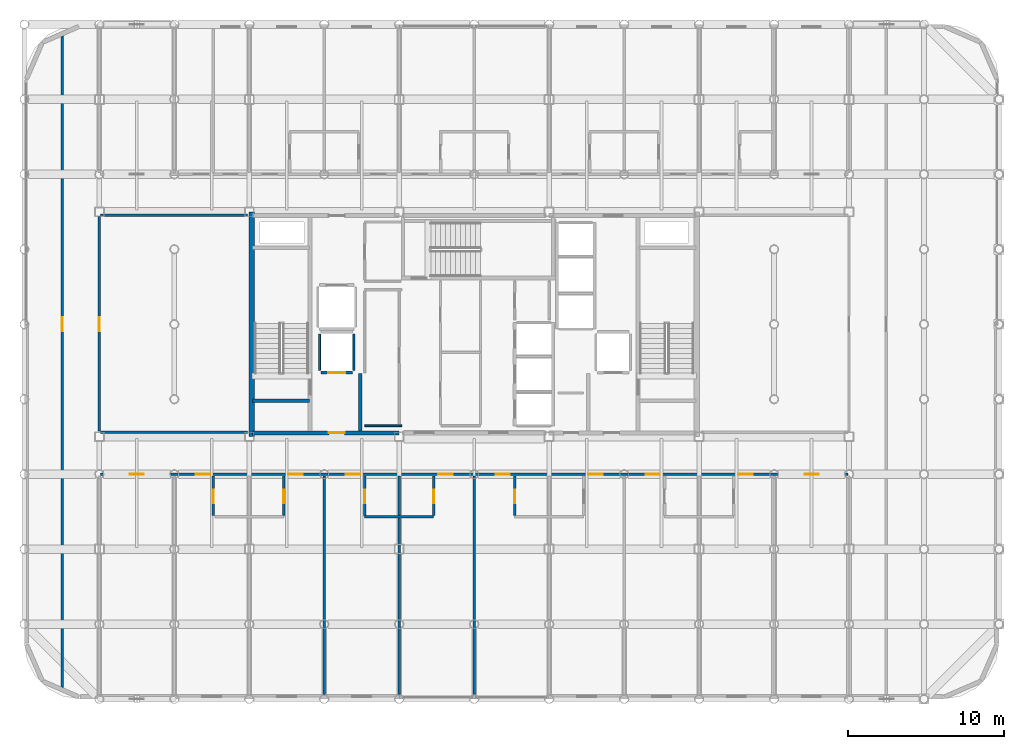
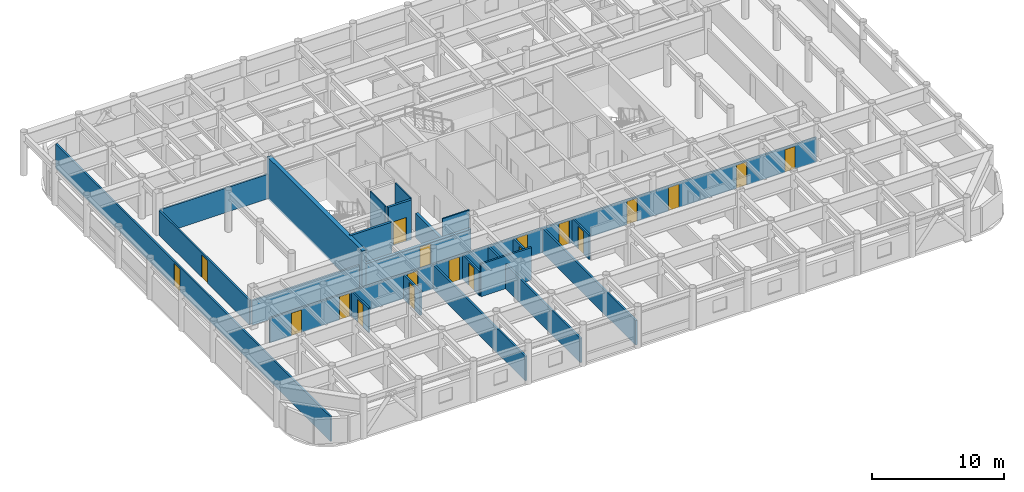
# One storey, part 17 of 22: 22 walls, 19 doors, 19 openings.
"""IFC4 building model written with IfcOpenShell, lengths in metres."""

from ifc_helpers import new_model, si_unit, direction, frame, frame_2d, origin, place, context, subcontext, project, spatial, rectangle, extrude, material, layer, layer_set, type_object, element, fill, save


model = new_model("IFC4")

# Units and contexts
model_context = context("Model", 3, precision=1e-05, world=origin(), true_north=direction((0.0, 1.0)))
body_context = subcontext(model_context, "Body", "Model", "MODEL_VIEW")
ifc_project = project(units=[si_unit("LENGTHUNIT", "METRE"), si_unit("AREAUNIT", "SQUARE_METRE"), si_unit("VOLUMEUNIT", "CUBIC_METRE"), si_unit("PLANEANGLEUNIT", "RADIAN"), si_unit("MASSUNIT", "GRAM", prefix="KILO")], contexts=[model_context])

# Site, building, storey
site_placement = place(None, origin())
site = spatial("IfcSite", under=ifc_project, at=site_placement, CompositionType="ELEMENT")
building_placement = place(site_placement, origin())
building = spatial("IfcBuilding", under=site, at=building_placement, Name="Kallvorn Hotel Tower", CompositionType="ELEMENT")
storey_placement = place(building_placement, frame((0.0, 0.0, 191.5)))
storey = spatial("IfcBuildingStorey", under=building, at=storey_placement, Name="L47", CompositionType="ELEMENT", Elevation=191.5)

# Walls
ifc_material_1 = material(Name="Concrete C50/60", Category="concrete")
ifc_layer_1 = layer(ifc_material_1, 0.35009765625)
ifc_layer_set_1 = layer_set([ifc_layer_1], Name="WL_CORE_350")
wall_type_1 = type_object("IfcWallType", Name="WL_CORE_350", PredefinedType="SHEAR", material=ifc_layer_set_1)
wall_1_placement = place(storey_placement, frame((-14.239990234375, -7.199951171875, -0.179931640625), z_axis=(0.0, 0.0, 1.0), x_axis=(0.0, 1.0, 0.0)))
element("IfcWall", 1, at=wall_1_placement, inside=storey, type_object=wall_type_1, Name="L47 Core West Shear Wall", PredefinedType="SHEAR", context=body_context, shape_type="SweptSolid", body=[
    extrude(rectangle(XDim=14.39990234375, YDim=0.35009765625, at=frame_2d((7.199951171875, 0.0))), origin(), (0.0, 0.0, 1.0), 3.849853515625),
])
ifc_material_2 = material(Name="Fire-rated double-layer acoustic gypsum drywall EI 60")
ifc_layer_2 = layer(ifc_material_2, 0.159912109375)
ifc_layer_set_2 = layer_set([ifc_layer_2], Name="WL_DEMISE_160")
wall_type_2 = type_object("IfcWallType", Name="WL_DEMISE_160", PredefinedType="PARTITIONING", material=ifc_layer_set_2)
wall_2_placement = place(storey_placement, frame((-7.010009765625, -12.320068359375, 0.0), z_axis=(0.0, 0.0, 1.0), x_axis=(1.0, 0.0, 0.0)))
element("IfcWall", 2, at=wall_2_placement, inside=storey, type_object=wall_type_2, Name="L47 Suite 4703 Superior Twin Room Partition", PredefinedType="PARTITIONING", context=body_context, shape_type="SweptSolid", body=[
    extrude(rectangle(XDim=4.419921875, YDim=0.159912109375, at=frame_2d((2.2099609375, 0.0))), origin(), (0.0, 0.0, 1.0), 3.02001953125),
])

# Wall, openings, doors
wall_3_placement = place(storey_placement, frame((-23.919921875, -9.60009765625, 0.0), z_axis=(0.0, 0.0, 1.0), x_axis=(1.0, 0.0, 0.0)))
wall_3 = element("IfcWall", 3, at=wall_3_placement, inside=storey, type_object=wall_type_2, Name="L47 Suite 4701 Superior Twin Room Partition", PredefinedType="PARTITIONING", context=body_context, shape_type="SweptSolid", body=[
    extrude(rectangle(XDim=47.83984375, YDim=0.159912109375, at=frame_2d((23.919921875, 0.0))), origin(), (0.0, 0.0, 1.0), 2.27001953125),
])
opening_1_placement = place(wall_3_placement, frame((1.8701171875, 0.0, 0.0)))
opening_1 = element("IfcOpeningElement", 4, at=opening_1_placement, cuts=wall_3, Name="Opening SVD1", PredefinedType="OPENING", context=body_context, shape_type="SweptSolid", body=[
    extrude(rectangle(XDim=0.89990234375, YDim=2.10009765625, at=frame_2d((0.449951171875, 1.050048828125))), frame((0.0, 0.094970703125, 0.0), z_axis=(0.0, -1.0, 0.0), x_axis=(1.0, 0.0, 0.0)), (0.0, 0.0, 1.0), 0.18994140625),
])
opening_2_placement = place(wall_3_placement, frame((45.070068359375, 0.0, 0.0)))
opening_2 = element("IfcOpeningElement", 5, at=opening_2_placement, cuts=wall_3, Name="Opening SVD1", PredefinedType="OPENING", context=body_context, shape_type="SweptSolid", body=[
    extrude(rectangle(XDim=0.89990234375, YDim=2.10009765625, at=frame_2d((0.449951171875, 1.050048828125))), frame((0.0, 0.094970703125, 0.0), z_axis=(0.0, -1.0, 0.0), x_axis=(1.0, 0.0, 0.0)), (0.0, 0.0, 1.0), 0.18994140625),
])
opening_3_placement = place(wall_3_placement, frame((6.090087890625, 0.0, 0.0)))
opening_3 = element("IfcOpeningElement", 6, at=opening_3_placement, cuts=wall_3, Name="Opening GD1", PredefinedType="OPENING", context=body_context, shape_type="SweptSolid", body=[
    extrude(rectangle(XDim=0.919921875, YDim=2.14990234375, at=frame_2d((0.4599609375, 1.074951171875))), frame((0.0, 0.094970703125, 0.0), z_axis=(0.0, -1.0, 0.0), x_axis=(1.0, 0.0, 0.0)), (0.0, 0.0, 1.0), 0.18994140625),
])
opening_4_placement = place(wall_3_placement, frame((12.030029296875, 0.0, 0.0)))
opening_4 = element("IfcOpeningElement", 7, at=opening_4_placement, cuts=wall_3, Name="Opening GD1", PredefinedType="OPENING", context=body_context, shape_type="SweptSolid", body=[
    extrude(rectangle(XDim=0.919921875, YDim=2.14990234375, at=frame_2d((0.4599609375, 1.074951171875))), frame((0.0, 0.094970703125, 0.0), z_axis=(0.0, -1.0, 0.0), x_axis=(1.0, 0.0, 0.0)), (0.0, 0.0, 1.0), 0.18994140625),
])
opening_5_placement = place(wall_3_placement, frame((15.68994140625, 0.0, 0.0)))
opening_5 = element("IfcOpeningElement", 8, at=opening_5_placement, cuts=wall_3, Name="Opening GD1", PredefinedType="OPENING", context=body_context, shape_type="SweptSolid", body=[
    extrude(rectangle(XDim=0.919921875, YDim=2.14990234375, at=frame_2d((0.4599609375, 1.074951171875))), frame((0.0, 0.094970703125, 0.0), z_axis=(0.0, -1.0, 0.0), x_axis=(1.0, 0.0, 0.0)), (0.0, 0.0, 1.0), 0.18994140625),
])
opening_6_placement = place(wall_3_placement, frame((21.6298828125, 0.0, 0.0)))
opening_6 = element("IfcOpeningElement", 9, at=opening_6_placement, cuts=wall_3, Name="Opening GD1", PredefinedType="OPENING", context=body_context, shape_type="SweptSolid", body=[
    extrude(rectangle(XDim=0.919921875, YDim=2.14990234375, at=frame_2d((0.4599609375, 1.074951171875))), frame((0.0, 0.094970703125, 0.0), z_axis=(0.0, -1.0, 0.0), x_axis=(1.0, 0.0, 0.0)), (0.0, 0.0, 1.0), 0.18994140625),
])
opening_7_placement = place(wall_3_placement, frame((25.2900390625, 0.0, 0.0)))
opening_7 = element("IfcOpeningElement", 10, at=opening_7_placement, cuts=wall_3, Name="Opening GD1", PredefinedType="OPENING", context=body_context, shape_type="SweptSolid", body=[
    extrude(rectangle(XDim=0.919921875, YDim=2.14990234375, at=frame_2d((0.4599609375, 1.074951171875))), frame((0.0, 0.094970703125, 0.0), z_axis=(0.0, -1.0, 0.0), x_axis=(1.0, 0.0, 0.0)), (0.0, 0.0, 1.0), 0.18994140625),
])
opening_8_placement = place(wall_3_placement, frame((31.22998046875, 0.0, 0.0)))
opening_8 = element("IfcOpeningElement", 11, at=opening_8_placement, cuts=wall_3, Name="Opening GD1", PredefinedType="OPENING", context=body_context, shape_type="SweptSolid", body=[
    extrude(rectangle(XDim=0.919921875, YDim=2.14990234375, at=frame_2d((0.4599609375, 1.074951171875))), frame((0.0, 0.094970703125, 0.0), z_axis=(0.0, -1.0, 0.0), x_axis=(1.0, 0.0, 0.0)), (0.0, 0.0, 1.0), 0.18994140625),
])
opening_9_placement = place(wall_3_placement, frame((34.889892578125, 0.0, 0.0)))
opening_9 = element("IfcOpeningElement", 12, at=opening_9_placement, cuts=wall_3, Name="Opening GD1", PredefinedType="OPENING", context=body_context, shape_type="SweptSolid", body=[
    extrude(rectangle(XDim=0.919921875, YDim=2.14990234375, at=frame_2d((0.4599609375, 1.074951171875))), frame((0.0, 0.094970703125, 0.0), z_axis=(0.0, -1.0, 0.0), x_axis=(1.0, 0.0, 0.0)), (0.0, 0.0, 1.0), 0.18994140625),
])
opening_10_placement = place(wall_3_placement, frame((40.830078125, 0.0, 0.0)))
opening_10 = element("IfcOpeningElement", 13, at=opening_10_placement, cuts=wall_3, Name="Opening GD1", PredefinedType="OPENING", context=body_context, shape_type="SweptSolid", body=[
    extrude(rectangle(XDim=0.919921875, YDim=2.14990234375, at=frame_2d((0.4599609375, 1.074951171875))), frame((0.0, 0.094970703125, 0.0), z_axis=(0.0, -1.0, 0.0), x_axis=(1.0, 0.0, 0.0)), (0.0, 0.0, 1.0), 0.18994140625),
])
ifc_material_3 = material(Name="Solid-core walnut veneer fire-rated timber door leaf", Category="wood")
door_type_1 = type_object("IfcDoorType", Name="DR_GUEST_920x2150", OperationType="NOTDEFINED", PredefinedType="DOOR", material=ifc_material_3)
door_1_placement = place(opening_3_placement, origin())
door_1 = element("IfcDoor", 14, at=door_1_placement, inside=storey, type_object=door_type_1, Name="L47 Suite 4701 Superior Twin Room Door", OperationType="SINGLE_SWING_RIGHT", OverallHeight=2.14990234375, OverallWidth=0.919921875, PredefinedType="DOOR", context=body_context, shape_type="SweptSolid", body=[
    extrude(rectangle(XDim=0.919921875, YDim=2.14990234375, at=frame_2d((0.4599609375, 1.074951171875))), frame((0.0, 0.02490234375, 0.0), z_axis=(0.0, -1.0, 0.0), x_axis=(1.0, 0.0, 0.0)), (0.0, 0.0, 1.0), 0.050048828125),
])
fill(opening_3, door_1)
door_2_placement = place(opening_4_placement, origin())
door_2 = element("IfcDoor", 15, at=door_2_placement, inside=storey, type_object=door_type_1, Name="L47 Suite 4702 Superior Twin Room Door", OperationType="SINGLE_SWING_LEFT", OverallHeight=2.14990234375, OverallWidth=0.919921875, PredefinedType="DOOR", context=body_context, shape_type="SweptSolid", body=[
    extrude(rectangle(XDim=0.919921875, YDim=2.14990234375, at=frame_2d((0.4599609375, 1.074951171875))), frame((0.0, 0.02490234375, 0.0), z_axis=(0.0, -1.0, 0.0), x_axis=(1.0, 0.0, 0.0)), (0.0, 0.0, 1.0), 0.050048828125),
])
fill(opening_4, door_2)
door_3_placement = place(opening_5_placement, origin())
door_3 = element("IfcDoor", 16, at=door_3_placement, inside=storey, type_object=door_type_1, Name="L47 Suite 4703 Superior Twin Room Door", OperationType="SINGLE_SWING_LEFT", OverallHeight=2.14990234375, OverallWidth=0.919921875, PredefinedType="DOOR", context=body_context, shape_type="SweptSolid", body=[
    extrude(rectangle(XDim=0.919921875, YDim=2.14990234375, at=frame_2d((0.4599609375, 1.074951171875))), frame((0.0, 0.02490234375, 0.0), z_axis=(0.0, -1.0, 0.0), x_axis=(1.0, 0.0, 0.0)), (0.0, 0.0, 1.0), 0.050048828125),
])
fill(opening_5, door_3)
door_4_placement = place(opening_6_placement, origin())
door_4 = element("IfcDoor", 17, at=door_4_placement, inside=storey, type_object=door_type_1, Name="L47 Suite 4704 Superior Twin Room Door", OperationType="SINGLE_SWING_LEFT", OverallHeight=2.14990234375, OverallWidth=0.919921875, PredefinedType="DOOR", context=body_context, shape_type="SweptSolid", body=[
    extrude(rectangle(XDim=0.919921875, YDim=2.14990234375, at=frame_2d((0.4599609375, 1.074951171875))), frame((0.0, 0.02490234375, 0.0), z_axis=(0.0, -1.0, 0.0), x_axis=(1.0, 0.0, 0.0)), (0.0, 0.0, 1.0), 0.050048828125),
])
fill(opening_6, door_4)
door_5_placement = place(opening_7_placement, origin())
door_5 = element("IfcDoor", 18, at=door_5_placement, inside=storey, type_object=door_type_1, Name="L47 Suite 4705 Superior Twin Room Door", OperationType="SINGLE_SWING_LEFT", OverallHeight=2.14990234375, OverallWidth=0.919921875, PredefinedType="DOOR", context=body_context, shape_type="SweptSolid", body=[
    extrude(rectangle(XDim=0.919921875, YDim=2.14990234375, at=frame_2d((0.4599609375, 1.074951171875))), frame((0.0, 0.02490234375, 0.0), z_axis=(0.0, -1.0, 0.0), x_axis=(1.0, 0.0, 0.0)), (0.0, 0.0, 1.0), 0.050048828125),
])
fill(opening_7, door_5)
door_6_placement = place(opening_8_placement, origin())
door_6 = element("IfcDoor", 19, at=door_6_placement, inside=storey, type_object=door_type_1, Name="L47 Suite 4706 Superior Twin Room Door", OperationType="SINGLE_SWING_LEFT", OverallHeight=2.14990234375, OverallWidth=0.919921875, PredefinedType="DOOR", context=body_context, shape_type="SweptSolid", body=[
    extrude(rectangle(XDim=0.919921875, YDim=2.14990234375, at=frame_2d((0.4599609375, 1.074951171875))), frame((0.0, 0.02490234375, 0.0), z_axis=(0.0, -1.0, 0.0), x_axis=(1.0, 0.0, 0.0)), (0.0, 0.0, 1.0), 0.050048828125),
])
fill(opening_8, door_6)
door_7_placement = place(opening_9_placement, origin())
door_7 = element("IfcDoor", 20, at=door_7_placement, inside=storey, type_object=door_type_1, Name="L47 Suite 4707 Superior Twin Room Door", OperationType="SINGLE_SWING_LEFT", OverallHeight=2.14990234375, OverallWidth=0.919921875, PredefinedType="DOOR", context=body_context, shape_type="SweptSolid", body=[
    extrude(rectangle(XDim=0.919921875, YDim=2.14990234375, at=frame_2d((0.4599609375, 1.074951171875))), frame((0.0, 0.02490234375, 0.0), z_axis=(0.0, -1.0, 0.0), x_axis=(1.0, 0.0, 0.0)), (0.0, 0.0, 1.0), 0.050048828125),
])
fill(opening_9, door_7)
door_8_placement = place(opening_10_placement, origin())
door_8 = element("IfcDoor", 21, at=door_8_placement, inside=storey, type_object=door_type_1, Name="L47 Suite 4708 Superior Twin Room Door", OperationType="SINGLE_SWING_LEFT", OverallHeight=2.14990234375, OverallWidth=0.919921875, PredefinedType="DOOR", context=body_context, shape_type="SweptSolid", body=[
    extrude(rectangle(XDim=0.919921875, YDim=2.14990234375, at=frame_2d((0.4599609375, 1.074951171875))), frame((0.0, 0.02490234375, 0.0), z_axis=(0.0, -1.0, 0.0), x_axis=(1.0, 0.0, 0.0)), (0.0, 0.0, 1.0), 0.050048828125),
])
fill(opening_10, door_8)
ifc_material_4 = material(Name="Galvanised painted steel fire-rated door assembly", Category="steel")
door_type_2 = type_object("IfcDoorType", Name="DR_SERV_900x2100", OperationType="NOTDEFINED", PredefinedType="DOOR", material=ifc_material_4)
door_9_placement = place(opening_1_placement, origin())
door_9 = element("IfcDoor", 22, at=door_9_placement, inside=storey, type_object=door_type_2, Name="L47 L47 High-Zone South-West Tea Bar Door", OperationType="SINGLE_SWING_RIGHT", OverallHeight=2.10009765625, OverallWidth=0.89990234375, PredefinedType="DOOR", context=body_context, shape_type="SweptSolid", body=[
    extrude(rectangle(XDim=0.89990234375, YDim=2.10009765625, at=frame_2d((0.449951171875, 1.050048828125))), frame((0.0, 0.02490234375, 0.0), z_axis=(0.0, -1.0, 0.0), x_axis=(1.0, 0.0, 0.0)), (0.0, 0.0, 1.0), 0.050048828125),
])
fill(opening_1, door_9)
door_10_placement = place(opening_2_placement, origin())
door_10 = element("IfcDoor", 23, at=door_10_placement, inside=storey, type_object=door_type_2, Name="L47 L47 High-Zone South-East Wine Bar Door", OperationType="SINGLE_SWING_RIGHT", OverallHeight=2.10009765625, OverallWidth=0.89990234375, PredefinedType="DOOR", context=body_context, shape_type="SweptSolid", body=[
    extrude(rectangle(XDim=0.89990234375, YDim=2.10009765625, at=frame_2d((0.449951171875, 1.050048828125))), frame((0.0, 0.02490234375, 0.0), z_axis=(0.0, -1.0, 0.0), x_axis=(1.0, 0.0, 0.0)), (0.0, 0.0, 1.0), 0.050048828125),
])
fill(opening_2, door_10)

# Wall, opening, door
wall_4_placement = place(storey_placement, frame((-16.705078125, -12.235107421875, 0.0), z_axis=(0.0, 0.0, 1.0), x_axis=(0.0, 1.0, 0.0)))
wall_4 = element("IfcWall", 24, at=wall_4_placement, inside=storey, type_object=wall_type_2, Name="L47 Suite 4701 Superior Twin Room Partition", PredefinedType="PARTITIONING", context=body_context, shape_type="SweptSolid", body=[
    extrude(rectangle(XDim=2.51513671875, YDim=0.159912109375, at=frame_2d((1.257568359375, 0.0))), origin(), (0.0, 0.0, 1.0), 2.27001953125),
])
opening_11_placement = place(wall_4_placement, frame((0.784912109375, 0.0, 0.0)))
opening_11 = element("IfcOpeningElement", 25, at=opening_11_placement, cuts=wall_4, Name="Opening BD-I", PredefinedType="OPENING", context=body_context, shape_type="SweptSolid", body=[
    extrude(rectangle(XDim=0.860107421875, YDim=2.10009765625, at=frame_2d((0.43017578125, 1.050048828125))), frame((0.0, 0.094970703125, 0.0), z_axis=(0.0, -1.0, 0.0), x_axis=(1.0, 0.0, 0.0)), (0.0, 0.0, 1.0), 0.18994140625),
])
ifc_material_5 = material(Name="Solid-core walnut veneer fire-rated timber door leaf", Category="wood")
door_type_3 = type_object("IfcDoorType", Name="DR_BATH_860x2100", OperationType="NOTDEFINED", PredefinedType="DOOR", material=ifc_material_5)
door_11_placement = place(opening_11_placement, origin())
door_11 = element("IfcDoor", 26, at=door_11_placement, inside=storey, type_object=door_type_3, Name="L47 Suite 4701 En-Suite Bathroom Door", OperationType="SINGLE_SWING_LEFT", OverallHeight=2.10009765625, OverallWidth=0.860107421875, PredefinedType="DOOR", context=body_context, shape_type="SweptSolid", body=[
    extrude(rectangle(XDim=0.860107421875, YDim=2.10009765625, at=frame_2d((0.43017578125, 1.050048828125))), frame((0.0, 0.02490234375, 0.0), z_axis=(0.0, -1.0, 0.0), x_axis=(1.0, 0.0, 0.0)), (0.0, 0.0, 1.0), 0.050048828125),
])
fill(opening_11, door_11)

wall_5_placement = place(storey_placement, frame((-12.18994140625, -12.235107421875, 0.0), z_axis=(0.0, 0.0, 1.0), x_axis=(0.0, 1.0, 0.0)))
wall_5 = element("IfcWall", 27, at=wall_5_placement, inside=storey, type_object=wall_type_2, Name="L47 Suite 4702 Superior Twin Room Partition", PredefinedType="PARTITIONING", context=body_context, shape_type="SweptSolid", body=[
    extrude(rectangle(XDim=2.51513671875, YDim=0.159912109375, at=frame_2d((1.257568359375, 0.0))), origin(), (0.0, 0.0, 1.0), 2.27001953125),
])
opening_12_placement = place(wall_5_placement, frame((0.784912109375, 0.0, 0.0)))
opening_12 = element("IfcOpeningElement", 28, at=opening_12_placement, cuts=wall_5, Name="Opening BD-I", PredefinedType="OPENING", context=body_context, shape_type="SweptSolid", body=[
    extrude(rectangle(XDim=0.860107421875, YDim=2.10009765625, at=frame_2d((0.43017578125, 1.050048828125))), frame((0.0, 0.094970703125, 0.0), z_axis=(0.0, -1.0, 0.0), x_axis=(1.0, 0.0, 0.0)), (0.0, 0.0, 1.0), 0.18994140625),
])
door_12_placement = place(opening_12_placement, origin())
door_12 = element("IfcDoor", 29, at=door_12_placement, inside=storey, type_object=door_type_3, Name="L47 Suite 4702 En-Suite Bathroom Door", OperationType="SINGLE_SWING_LEFT", OverallHeight=2.10009765625, OverallWidth=0.860107421875, PredefinedType="DOOR", context=body_context, shape_type="SweptSolid", body=[
    extrude(rectangle(XDim=0.860107421875, YDim=2.10009765625, at=frame_2d((0.43017578125, 1.050048828125))), frame((0.0, 0.02490234375, 0.0), z_axis=(0.0, -1.0, 0.0), x_axis=(1.0, 0.0, 0.0)), (0.0, 0.0, 1.0), 0.050048828125),
])
fill(opening_12, door_12)

# Wall
wall_6_placement = place(storey_placement, frame((-9.60009765625, -23.7099609375, 0.0), z_axis=(0.0, 0.0, 1.0), x_axis=(0.0, 1.0, 0.0)))
element("IfcWall", 30, at=wall_6_placement, inside=storey, type_object=wall_type_2, Name="L47 Suite 4702 Superior Twin Room Partition", PredefinedType="PARTITIONING", context=body_context, shape_type="SweptSolid", body=[
    extrude(rectangle(XDim=13.989990234375, YDim=0.159912109375, at=frame_2d((6.9951171875, 0.0))), origin(), (0.0, 0.0, 1.0), 2.27001953125),
])

# Wall, opening, door
wall_7_placement = place(storey_placement, frame((-7.0048828125, -12.235107421875, 0.0), z_axis=(0.0, 0.0, 1.0), x_axis=(0.0, 1.0, 0.0)))
wall_7 = element("IfcWall", 31, at=wall_7_placement, inside=storey, type_object=wall_type_2, Name="L47 Suite 4703 Superior Twin Room Partition", PredefinedType="PARTITIONING", context=body_context, shape_type="SweptSolid", body=[
    extrude(rectangle(XDim=2.51513671875, YDim=0.159912109375, at=frame_2d((1.257568359375, 0.0))), origin(), (0.0, 0.0, 1.0), 2.27001953125),
])
opening_13_placement = place(wall_7_placement, frame((0.784912109375, 0.0, 0.0)))
opening_13 = element("IfcOpeningElement", 32, at=opening_13_placement, cuts=wall_7, Name="Opening BD-I", PredefinedType="OPENING", context=body_context, shape_type="SweptSolid", body=[
    extrude(rectangle(XDim=0.860107421875, YDim=2.10009765625, at=frame_2d((0.43017578125, 1.050048828125))), frame((0.0, 0.094970703125, 0.0), z_axis=(0.0, -1.0, 0.0), x_axis=(1.0, 0.0, 0.0)), (0.0, 0.0, 1.0), 0.18994140625),
])
door_13_placement = place(opening_13_placement, origin())
door_13 = element("IfcDoor", 33, at=door_13_placement, inside=storey, type_object=door_type_3, Name="L47 Suite 4703 En-Suite Bathroom Door", OperationType="SINGLE_SWING_RIGHT", OverallHeight=2.10009765625, OverallWidth=0.860107421875, PredefinedType="DOOR", context=body_context, shape_type="SweptSolid", body=[
    extrude(rectangle(XDim=0.860107421875, YDim=2.10009765625, at=frame_2d((0.43017578125, 1.050048828125))), frame((0.0, 0.02490234375, 0.0), z_axis=(0.0, -1.0, 0.0), x_axis=(1.0, 0.0, 0.0)), (0.0, 0.0, 1.0), 0.050048828125),
])
fill(opening_13, door_13)

# Wall
wall_8_placement = place(storey_placement, frame((-4.800048828125, -23.7099609375, 0.0), z_axis=(0.0, 0.0, 1.0), x_axis=(0.0, 1.0, 0.0)))
element("IfcWall", 34, at=wall_8_placement, inside=storey, type_object=wall_type_2, Name="L47 Suite 4703 Superior Twin Room Partition", PredefinedType="PARTITIONING", context=body_context, shape_type="SweptSolid", body=[
    extrude(rectangle(XDim=13.989990234375, YDim=0.159912109375, at=frame_2d((6.9951171875, 0.0))), origin(), (0.0, 0.0, 1.0), 2.27001953125),
])

# Wall, opening, door
wall_9_placement = place(storey_placement, frame((-2.590087890625, -12.235107421875, 0.0), z_axis=(0.0, 0.0, 1.0), x_axis=(0.0, 1.0, 0.0)))
wall_9 = element("IfcWall", 35, at=wall_9_placement, inside=storey, type_object=wall_type_2, Name="L47 Suite 4704 Superior Twin Room Partition", PredefinedType="PARTITIONING", context=body_context, shape_type="SweptSolid", body=[
    extrude(rectangle(XDim=2.51513671875, YDim=0.159912109375, at=frame_2d((1.257568359375, 0.0))), origin(), (0.0, 0.0, 1.0), 2.27001953125),
])
opening_14_placement = place(wall_9_placement, frame((0.784912109375, 0.0, 0.0)))
opening_14 = element("IfcOpeningElement", 36, at=opening_14_placement, cuts=wall_9, Name="Opening BD-I", PredefinedType="OPENING", context=body_context, shape_type="SweptSolid", body=[
    extrude(rectangle(XDim=0.860107421875, YDim=2.10009765625, at=frame_2d((0.43017578125, 1.050048828125))), frame((0.0, 0.094970703125, 0.0), z_axis=(0.0, -1.0, 0.0), x_axis=(1.0, 0.0, 0.0)), (0.0, 0.0, 1.0), 0.18994140625),
])
door_14_placement = place(opening_14_placement, origin())
door_14 = element("IfcDoor", 37, at=door_14_placement, inside=storey, type_object=door_type_3, Name="L47 Suite 4704 En-Suite Bathroom Door", OperationType="SINGLE_SWING_LEFT", OverallHeight=2.10009765625, OverallWidth=0.860107421875, PredefinedType="DOOR", context=body_context, shape_type="SweptSolid", body=[
    extrude(rectangle(XDim=0.860107421875, YDim=2.10009765625, at=frame_2d((0.43017578125, 1.050048828125))), frame((0.0, 0.02490234375, 0.0), z_axis=(0.0, -1.0, 0.0), x_axis=(1.0, 0.0, 0.0)), (0.0, 0.0, 1.0), 0.050048828125),
])
fill(opening_14, door_14)

# Wall
wall_10_placement = place(storey_placement, frame((0.0, -23.794921875, 0.0), z_axis=(0.0, 0.0, 1.0), x_axis=(0.0, 1.0, 0.0)))
element("IfcWall", 38, at=wall_10_placement, inside=storey, type_object=wall_type_2, Name="L47 Suite 4704 Superior Twin Room Partition", PredefinedType="PARTITIONING", context=body_context, shape_type="SweptSolid", body=[
    extrude(rectangle(XDim=14.074951171875, YDim=0.159912109375, at=frame_2d((7.03759765625, 0.0))), origin(), (0.0, 0.0, 1.0), 2.27001953125),
])

# Wall, opening, door
wall_11_placement = place(storey_placement, frame((2.59326171875, -12.235107421875, 0.0), z_axis=(0.0, 0.0, 1.0), x_axis=(0.0, 1.0, 0.0)))
wall_11 = element("IfcWall", 39, at=wall_11_placement, inside=storey, type_object=wall_type_2, Name="L47 Suite 4705 Superior Twin Room Partition", PredefinedType="PARTITIONING", context=body_context, shape_type="SweptSolid", body=[
    extrude(rectangle(XDim=2.51513671875, YDim=0.159912109375, at=frame_2d((1.257568359375, 0.0))), origin(), (0.0, 0.0, 1.0), 2.27001953125),
])
opening_15_placement = place(wall_11_placement, frame((0.784912109375, 0.0, 0.0)))
opening_15 = element("IfcOpeningElement", 40, at=opening_15_placement, cuts=wall_11, Name="Opening BD-I", PredefinedType="OPENING", context=body_context, shape_type="SweptSolid", body=[
    extrude(rectangle(XDim=0.860107421875, YDim=2.10009765625, at=frame_2d((0.43017578125, 1.050048828125))), frame((0.0, 0.094970703125, 0.0), z_axis=(0.0, -1.0, 0.0), x_axis=(1.0, 0.0, 0.0)), (0.0, 0.0, 1.0), 0.18994140625),
])
door_15_placement = place(opening_15_placement, origin())
door_15 = element("IfcDoor", 41, at=door_15_placement, inside=storey, type_object=door_type_3, Name="L47 Suite 4705 En-Suite Bathroom Door", OperationType="SINGLE_SWING_LEFT", OverallHeight=2.10009765625, OverallWidth=0.860107421875, PredefinedType="DOOR", context=body_context, shape_type="SweptSolid", body=[
    extrude(rectangle(XDim=0.860107421875, YDim=2.10009765625, at=frame_2d((0.43017578125, 1.050048828125))), frame((0.0, 0.02490234375, 0.0), z_axis=(0.0, -1.0, 0.0), x_axis=(1.0, 0.0, 0.0)), (0.0, 0.0, 1.0), 0.050048828125),
])
fill(opening_15, door_15)

# Walls
ifc_material_6 = material(Name="Concrete C40/50", Category="concrete")
ifc_layer_3 = layer(ifc_material_6, 0.219970703125)
ifc_layer_set_3 = layer_set([ifc_layer_3], Name="WL_FFL_220")
wall_type_3 = type_object("IfcWallType", Name="WL_FFL_220", PredefinedType="SOLIDWALL", material=ifc_layer_set_3)
wall_12_placement = place(storey_placement, frame((-7.300048828125, -6.820068359375, 0.0), z_axis=(0.0, 0.0, 1.0), x_axis=(0.0, 1.0, 0.0)))
element("IfcWall", 42, at=wall_12_placement, inside=storey, type_object=wall_type_3, Name="L47 Firefighting Lobby West Divider Wall", PredefinedType="SOLIDWALL", context=body_context, shape_type="SweptSolid", body=[
    extrude(rectangle(XDim=3.670166015625, YDim=0.219970703125, at=frame_2d((1.8349609375, 0.0))), origin(), (0.0, 0.0, 1.0), 2.27001953125),
])
ifc_material_7 = material(Name="Concrete C40/50", Category="concrete")
ifc_layer_4 = layer(ifc_material_7, 0.199951171875)
ifc_layer_set_4 = layer_set([ifc_layer_4], Name="WL_HOIST_200")
wall_type_4 = type_object("IfcWallType", Name="WL_HOIST_200", PredefinedType="SOLIDWALL", material=ifc_layer_set_4)
wall_13_placement = place(storey_placement, frame((-14.199951171875, -4.89990234375, -0.179931640625), z_axis=(0.0, 0.0, 1.0), x_axis=(1.0, 0.0, 0.0)))
element("IfcWall", 43, at=wall_13_placement, inside=storey, type_object=wall_type_4, Name="L47 Stair ST1 South Wall", PredefinedType="SOLIDWALL", context=body_context, shape_type="SweptSolid", body=[
    extrude(rectangle(XDim=3.64990234375, YDim=0.199951171875, at=frame_2d((1.824951171875, 0.0))), origin(), (0.0, 0.0, 1.0), 3.849853515625),
])

# Wall, opening, door
wall_14_placement = place(storey_placement, frame((-9.820068359375, -3.10009765625, 0.0), z_axis=(0.0, 0.0, 1.0), x_axis=(1.0, 0.0, 0.0)))
wall_14 = element("IfcWall", 44, at=wall_14_placement, inside=storey, type_object=wall_type_4, Name="L47 FL-1 Landing Wall", PredefinedType="SOLIDWALL", context=body_context, shape_type="SweptSolid", body=[
    extrude(rectangle(XDim=2.0400390625, YDim=0.199951171875, at=frame_2d((1.02001953125, 0.0))), origin(), (0.0, 0.0, 1.0), 3.669921875),
])
opening_16_placement = place(wall_14_placement, frame((0.469970703125, 0.0, 0.0)))
opening_16 = element("IfcOpeningElement", 45, at=opening_16_placement, cuts=wall_14, Name="Opening LD-FL-1", PredefinedType="OPENING", context=body_context, shape_type="SweptSolid", body=[
    extrude(rectangle(XDim=1.10009765625, YDim=2.199951171875, at=frame_2d((0.550048828125, 1.10009765625))), frame((0.0, 0.114990234375, 0.0), z_axis=(0.0, -1.0, 0.0), x_axis=(1.0, 0.0, 0.0)), (0.0, 0.0, 1.0), 0.22998046875),
])
ifc_material_8 = material(Name="Brushed stainless-steel automatic sliding lift landing door", Category="steel")
door_type_4 = type_object("IfcDoorType", Name="LD_PASS_1100x2200", OperationType="SLIDING_TO_LEFT", PredefinedType="DOOR", material=ifc_material_8)
door_16_placement = place(opening_16_placement, origin())
door_16 = element("IfcDoor", 46, at=door_16_placement, inside=storey, type_object=door_type_4, Name="L47 Lift Landing Sliding Door LD-FL-1", OperationType="SLIDING_TO_LEFT", OverallHeight=2.199951171875, OverallWidth=1.10009765625, PredefinedType="DOOR", context=body_context, shape_type="SweptSolid", body=[
    extrude(rectangle(XDim=1.10009765625, YDim=2.199951171875, at=frame_2d((0.550048828125, 1.10009765625))), frame((0.0, 0.02490234375, 0.0), z_axis=(0.0, -1.0, 0.0), x_axis=(1.0, 0.0, 0.0)), (0.0, 0.0, 1.0), 0.050048828125),
])
fill(opening_16, door_16)

# Walls
ifc_material_9 = material(Name="Fire-rated double-layer acoustic gypsum drywall EI 60")
ifc_layer_5 = layer(ifc_material_9, 0.1201171875)
ifc_layer_set_5 = layer_set([ifc_layer_5], Name="WL_INT_120")
wall_type_5 = type_object("IfcWallType", Name="WL_INT_120", PredefinedType="PARTITIONING", material=ifc_layer_set_5)
for number, where, z_axis, x_axis, name in (
    (47, (-9.89990234375, -2.9599609375, 0.0), (0.0, 0.0, 1.0), (0.0, 1.0, 0.0), "L47 FL-1 West Shaft Wall"),
    (48, (-7.699951171875, -2.9599609375, 0.0), (0.0, 0.0, 1.0), (0.0, 1.0, 0.0), "L47 FL-1 East Shaft Wall"),
):
    element("IfcWall", number, at=place(storey_placement, frame(where, z_axis=z_axis, x_axis=x_axis)), inside=storey, type_object=wall_type_5, Name=name, PredefinedType="PARTITIONING", context=body_context, shape_type="SweptSolid", body=[
        extrude(rectangle(XDim=2.320068359375, YDim=0.1201171875, at=frame_2d((1.16015625, 0.0))), origin(), (0.0, 0.0, 1.0), 3.669921875),
    ])
wall_15_placement = place(storey_placement, frame((-7.0, -6.5, 0.0), z_axis=(0.0, 0.0, 1.0), x_axis=(1.0, 0.0, 0.0)))
element("IfcWall", 49, at=wall_15_placement, inside=storey, type_object=wall_type_5, Name="L47 Recaptured Butler and Room-Service Pantry Partition", PredefinedType="PARTITIONING", context=body_context, shape_type="SweptSolid", body=[
    extrude(rectangle(XDim=2.35009765625, YDim=0.1201171875, at=frame_2d((1.175048828125, 0.0))), origin(), (0.0, 0.0, 1.0), 3.669921875),
])
ifc_material_10 = material(Name="Fire-rated double-layer acoustic gypsum drywall EI 60")
ifc_layer_6 = layer(ifc_material_10, 0.14990234375)
ifc_layer_set_6 = layer_set([ifc_layer_6], Name="WL_PART_150")
wall_type_6 = type_object("IfcWallType", Name="WL_PART_150", PredefinedType="PARTITIONING", material=ifc_layer_set_6)
for number, where, z_axis, x_axis, name in (
    (50, (-23.919921875, -6.919921875, 0.0), (0.0, 0.0, 1.0), (1.0, 0.0, 0.0), "L47 L47 High-Zone Inner West Club Bar Partition"),
    (51, (-23.919921875, 6.97998046875, 0.0), (0.0, 0.0, 1.0), (1.0, 0.0, 0.0), "L47 L47 High-Zone Inner West Club Bar Partition"),
):
    element("IfcWall", number, at=place(storey_placement, frame(where, z_axis=z_axis, x_axis=x_axis)), inside=storey, type_object=wall_type_6, Name=name, PredefinedType="PARTITIONING", context=body_context, shape_type="SweptSolid", body=[
        extrude(rectangle(XDim=9.39990234375, YDim=0.14990234375, at=frame_2d((4.699951171875, 0.0))), origin(), (0.0, 0.0, 1.0), 2.27001953125),
    ])

# Wall, opening, door
wall_16_placement = place(storey_placement, frame((-26.3798828125, -23.247314453125, 0.0), z_axis=(0.0, 0.0, 1.0), x_axis=(0.0, 1.0, 0.0)))
wall_16 = element("IfcWall", 52, at=wall_16_placement, inside=storey, type_object=wall_type_6, Name="L47 L47 Outer West Sky Observatory Salon Partition", PredefinedType="PARTITIONING", context=body_context, shape_type="SweptSolid", body=[
    extrude(rectangle(XDim=41.694580078125, YDim=0.14990234375, at=frame_2d((20.84716796875, 0.0))), origin(), (0.0, 0.0, 1.0), 2.27001953125),
])
opening_17_placement = place(wall_16_placement, frame((22.79736328125, 0.0, 0.0)))
opening_17 = element("IfcOpeningElement", 53, at=opening_17_placement, cuts=wall_16, Name="Opening SVD1", PredefinedType="OPENING", context=body_context, shape_type="SweptSolid", body=[
    extrude(rectangle(XDim=0.89990234375, YDim=2.10009765625, at=frame_2d((0.449951171875, 1.050048828125))), frame((0.0, 0.08984375, 0.0), z_axis=(0.0, -1.0, 0.0), x_axis=(1.0, 0.0, 0.0)), (0.0, 0.0, 1.0), 0.179931640625),
])
door_17_placement = place(opening_17_placement, origin())
door_17 = element("IfcDoor", 54, at=door_17_placement, inside=storey, type_object=door_type_2, Name="L47 L47 Outer West Sky Observatory Salon Door", OperationType="SINGLE_SWING_LEFT", OverallHeight=2.10009765625, OverallWidth=0.89990234375, PredefinedType="DOOR", context=body_context, shape_type="SweptSolid", body=[
    extrude(rectangle(XDim=0.89990234375, YDim=2.10009765625, at=frame_2d((0.449951171875, 1.050048828125))), frame((0.0, 0.02490234375, 0.0), z_axis=(0.0, -1.0, 0.0), x_axis=(1.0, 0.0, 0.0)), (0.0, 0.0, 1.0), 0.050048828125),
])
fill(opening_17, door_17)

wall_17_placement = place(storey_placement, frame((-24.0, -6.8349609375, 0.0), z_axis=(0.0, 0.0, 1.0), x_axis=(0.0, 1.0, 0.0)))
wall_17 = element("IfcWall", 55, at=wall_17_placement, inside=storey, type_object=wall_type_6, Name="L47 L47 High-Zone Inner West Club Bar Partition", PredefinedType="PARTITIONING", context=body_context, shape_type="SweptSolid", body=[
    extrude(rectangle(XDim=13.72998046875, YDim=0.14990234375, at=frame_2d((6.864990234375, 0.0))), origin(), (0.0, 0.0, 1.0), 2.27001953125),
])
opening_18_placement = place(wall_17_placement, frame((6.385009765625, 0.0, 0.0)))
opening_18 = element("IfcOpeningElement", 56, at=opening_18_placement, cuts=wall_17, Name="Opening SVD1", PredefinedType="OPENING", context=body_context, shape_type="SweptSolid", body=[
    extrude(rectangle(XDim=0.89990234375, YDim=2.10009765625, at=frame_2d((0.449951171875, 1.050048828125))), frame((0.0, 0.08984375, 0.0), z_axis=(0.0, -1.0, 0.0), x_axis=(1.0, 0.0, 0.0)), (0.0, 0.0, 1.0), 0.179931640625),
])
door_18_placement = place(opening_18_placement, origin())
door_18 = element("IfcDoor", 57, at=door_18_placement, inside=storey, type_object=door_type_2, Name="L47 L47 High-Zone Inner West Club Bar Door", OperationType="SINGLE_SWING_LEFT", OverallHeight=2.10009765625, OverallWidth=0.89990234375, PredefinedType="DOOR", context=body_context, shape_type="SweptSolid", body=[
    extrude(rectangle(XDim=0.89990234375, YDim=2.10009765625, at=frame_2d((0.449951171875, 1.050048828125))), frame((0.0, 0.02490234375, 0.0), z_axis=(0.0, -1.0, 0.0), x_axis=(1.0, 0.0, 0.0)), (0.0, 0.0, 1.0), 0.050048828125),
])
fill(opening_18, door_18)

ifc_material_11 = material(Name="Concrete C40/50", Category="concrete")
ifc_layer_7 = layer(ifc_material_11, 0.25)
ifc_layer_set_7 = layer_set([ifc_layer_7], Name="WL_SHAFT_250")
wall_type_7 = type_object("IfcWallType", Name="WL_SHAFT_250", PredefinedType="SOLIDWALL", material=ifc_layer_set_7)
wall_18_placement = place(storey_placement, frame((-14.199951171875, -6.949951171875, 0.0), z_axis=(0.0, 0.0, 1.0), x_axis=(1.0, 0.0, 0.0)))
wall_18 = element("IfcWall", 58, at=wall_18_placement, inside=storey, type_object=wall_type_7, Name="L47 Core South-West Wall", PredefinedType="SOLIDWALL", context=body_context, shape_type="SweptSolid", body=[
    extrude(rectangle(XDim=9.39990234375, YDim=0.25, at=frame_2d((4.699951171875, 0.0))), origin(), (0.0, 0.0, 1.0), 2.27001953125),
])
opening_19_placement = place(wall_18_placement, frame((4.89990234375, 0.0, 0.0)))
opening_19 = element("IfcOpeningElement", 59, at=opening_19_placement, cuts=wall_18, Name="Opening FD1", PredefinedType="OPENING", context=body_context, shape_type="SweptSolid", body=[
    extrude(rectangle(XDim=1.0, YDim=2.14990234375, at=frame_2d((0.5, 1.074951171875))), frame((0.0, 0.139892578125, 0.0), z_axis=(0.0, -1.0, 0.0), x_axis=(1.0, 0.0, 0.0)), (0.0, 0.0, 1.0), 0.280029296875),
])
ifc_material_12 = material(Name="Galvanised painted steel fire-rated door assembly", Category="steel")
door_type_5 = type_object("IfcDoorType", Name="DR_FFL_1000x2150", OperationType="NOTDEFINED", PredefinedType="DOOR", material=ifc_material_12)
door_19_placement = place(opening_19_placement, origin())
door_19 = element("IfcDoor", 60, at=door_19_placement, inside=storey, type_object=door_type_5, Name="L47 Firefighting Lobby West Door", OperationType="SINGLE_SWING_LEFT", OverallHeight=2.14990234375, OverallWidth=1.0, PredefinedType="DOOR", context=body_context, shape_type="SweptSolid", body=[
    extrude(rectangle(XDim=1.0, YDim=2.14990234375, at=frame_2d((0.5, 1.074951171875))), frame((0.0, 0.02490234375, 0.0), z_axis=(0.0, -1.0, 0.0), x_axis=(1.0, 0.0, 0.0)), (0.0, 0.0, 1.0), 0.050048828125),
])
fill(opening_19, door_19)

save(model, "model.ifc")
